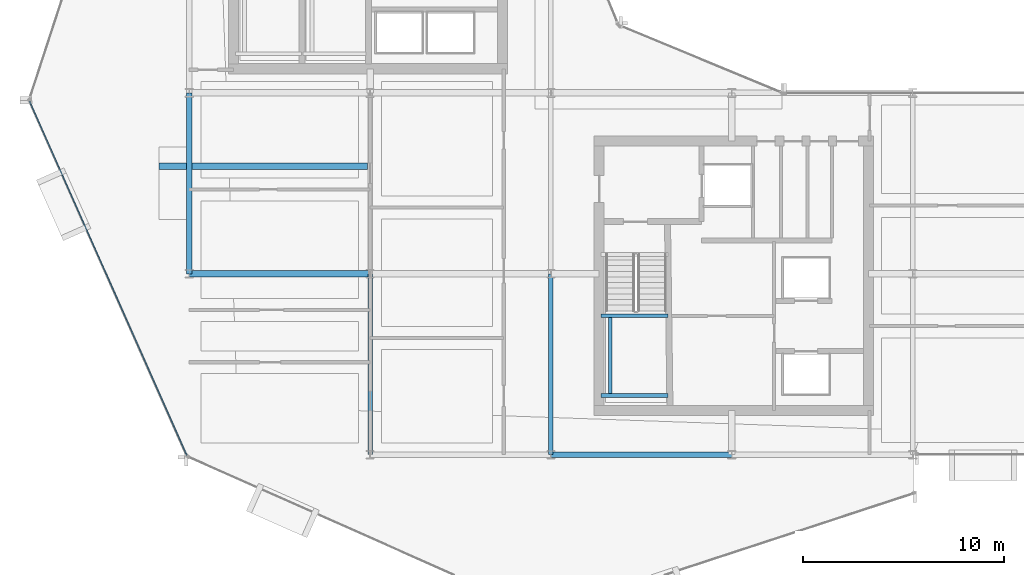
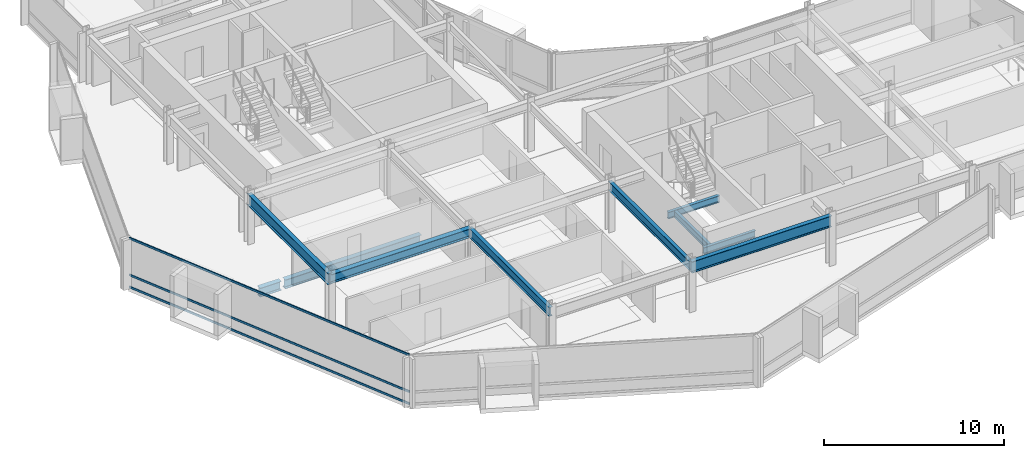
# One storey, part 5 of 29: 10 beams, 3 members, 1 element without a shape of its own.
"""IFC4 building model written with IfcOpenShell, lengths in metres."""

from ifc_helpers import new_model, si_unit, direction, frame, origin, origin_2d, place, context, subcontext, project, spatial, hollow_rectangle, i_section, extrude, material, layer, layer_set, material_profile, profile_set, type_object, element, aggregate, save


model = new_model("IFC4")

# Units and contexts
model_context = context("Model", 3, precision=1e-05, world=origin(), true_north=direction((0.0, 1.0)))
body_context = subcontext(model_context, "Body", "Model", "MODEL_VIEW")
ifc_project = project(units=[si_unit("LENGTHUNIT", "METRE"), si_unit("AREAUNIT", "SQUARE_METRE"), si_unit("VOLUMEUNIT", "CUBIC_METRE"), si_unit("PLANEANGLEUNIT", "RADIAN"), si_unit("MASSUNIT", "GRAM", prefix="KILO")], contexts=[model_context])

# Site, building, storey
site_placement = place(None, origin())
site = spatial("IfcSite", under=ifc_project, at=site_placement, CompositionType="ELEMENT")
building_placement = place(site_placement, origin())
building = spatial("IfcBuilding", under=site, at=building_placement, Name="Solvaryn Broadcast Tower", CompositionType="ELEMENT")
storey_placement = place(building_placement, frame((0.0, 0.0, 165.5)))
storey = spatial("IfcBuildingStorey", under=building, at=storey_placement, Name="L41", CompositionType="ELEMENT", Elevation=165.5)

# Beams
ifc_material_1 = material(Name="Steel ASTM A992 Grade 50", Category="steel")
ifc_material_profile_1 = material_profile(ifc_material_1, i_section(OverallWidth=0.323974609375, OverallDepth=0.611083984375, WebThickness=0.0126953125, FlangeThickness=0.01904296875, FilletRadius=0.014892578125, at=origin_2d()))
ifc_profile_set_1 = profile_set([ifc_material_profile_1], Name="Steel ASTM A992 Grade 50")
beam_type_1 = type_object("IfcBeamType", Name="BM-B1-W24X104", PredefinedType="BEAM", material=ifc_profile_set_1)
beam_1_placement = place(storey_placement, frame((17.875, 23.35009765625, -0.58544921875), z_axis=(-1.0, 0.0, 0.0), x_axis=(0.0, -1.0, 0.0)))
element("IfcBeam", 1, at=beam_1_placement, inside=storey, type_object=beam_type_1, Name="L41 Bay-Box Back-Span Beam 1", PredefinedType="BEAM", context=body_context, shape_type="SweptSolid", body=[
    extrude(i_section(OverallWidth=0.323974609375, OverallDepth=0.611083984375, WebThickness=0.0126953125, FlangeThickness=0.01904296875, FilletRadius=0.014892578125, at=origin_2d()), origin(), (0.0, 0.0, 1.0), 8.75),
])
beam_2_placement = place(storey_placement, frame((9.0, 18.0, 3.064453125), z_axis=(1.0, 0.0, 0.0), x_axis=(0.0, 1.0, 0.0)))
element("IfcBeam", 2, at=beam_2_placement, inside=storey, type_object=beam_type_1, Name="L41 Primary Beam X (9-18 @ Y=18)", PredefinedType="BEAM", context=body_context, shape_type="SweptSolid", body=[
    extrude(i_section(OverallWidth=0.323974609375, OverallDepth=0.611083984375, WebThickness=0.0126953125, FlangeThickness=0.01904296875, FilletRadius=0.014892578125, at=origin_2d()), origin(), (0.0, 0.0, 1.0), 9.0),
])
ifc_material_2 = material(Name="Steel ASTM A992 Grade 50", Category="steel")
ifc_material_profile_2 = material_profile(ifc_material_2, i_section(OverallWidth=0.22802734375, OverallDepth=0.60791015625, WebThickness=0.01123046875, FlangeThickness=0.017333984375, FilletRadius=0.014892578125, at=origin_2d()))
ifc_profile_set_2 = profile_set([ifc_material_profile_2], Name="Steel ASTM A992 Grade 50")
beam_type_2 = type_object("IfcBeamType", Name="BM-B2-W24X76", PredefinedType="BEAM", material=ifc_profile_set_2)
for number, where, z_axis, x_axis, name in (
    (3, (18.0, 9.0, 3.06591796875), (0.0, 1.0, 0.0), (-1.0, 0.0, 0.0), "L41 Primary Beam Y (9-18 @ X=18)"),
    (4, (27.0, 9.0, 3.06591796875), (0.0, 1.0, 0.0), (-1.0, 0.0, 0.0), "L41 Primary Beam Y (9-18 @ X=27)"),
):
    element("IfcBeam", number, at=place(storey_placement, frame(where, z_axis=z_axis, x_axis=x_axis)), inside=storey, type_object=beam_type_2, Name=name, PredefinedType="BEAM", context=body_context, shape_type="SweptSolid", body=[
        extrude(i_section(OverallWidth=0.22802734375, OverallDepth=0.60791015625, WebThickness=0.01123046875, FlangeThickness=0.017333984375, FilletRadius=0.014892578125, at=origin_2d()), origin(), (0.0, 0.0, 1.0), 9.0),
    ])
ifc_material_3 = material(Name="Steel ASTM A992 Grade 50", Category="steel")
ifc_material_profile_3 = material_profile(ifc_material_3, i_section(OverallWidth=0.18994140625, OverallDepth=0.45703125, WebThickness=0.009033203125, FlangeThickness=0.014404296875, FilletRadius=0.011962890625, at=origin_2d()))
ifc_profile_set_3 = profile_set([ifc_material_profile_3], Name="Steel ASTM A992 Grade 50")
beam_type_3 = type_object("IfcBeamType", Name="BM-B4-W18X50", PredefinedType="BEAM", material=ifc_profile_set_3)
for number, where, z_axis, x_axis, name in (
    (5, (29.5, 11.949951171875, 1.42138671875), (1.0, 0.0, 0.0), (0.0, 1.0, 0.0), "L41 ST3 Landing Support Beam 1A"),
    (6, (29.5, 15.909912109375, 1.42138671875), (1.0, 0.0, 0.0), (0.0, 1.0, 0.0), "L41 ST3 Landing Support Beam 1B"),
):
    element("IfcBeam", number, at=place(storey_placement, frame(where, z_axis=z_axis, x_axis=x_axis)), inside=storey, type_object=beam_type_3, Name=name, PredefinedType="BEAM", context=body_context, shape_type="SweptSolid", body=[
        extrude(i_section(OverallWidth=0.18994140625, OverallDepth=0.45703125, WebThickness=0.009033203125, FlangeThickness=0.014404296875, FilletRadius=0.011962890625, at=origin_2d()), origin(), (0.0, 0.0, 1.0), 3.320068359375),
    ])
beam_3_placement = place(storey_placement, frame((29.949951171875, 11.949951171875, 1.42138671875), z_axis=(0.0, 1.0, 0.0), x_axis=(-1.0, 0.0, 0.0)))
element("IfcBeam", 7, at=beam_3_placement, inside=storey, type_object=beam_type_3, Name="L41 ST3 Landing Cross Stringer 1C", PredefinedType="BEAM", context=body_context, shape_type="SweptSolid", body=[
    extrude(i_section(OverallWidth=0.18994140625, OverallDepth=0.45703125, WebThickness=0.009033203125, FlangeThickness=0.014404296875, FilletRadius=0.011962890625, at=origin_2d()), origin(), (0.0, 0.0, 1.0), 3.9599609375),
])
ifc_material_4 = material(Name="Steel ASTM A992 Grade 50", Category="steel")
ifc_material_profile_4 = material_profile(ifc_material_4, i_section(OverallWidth=0.323974609375, OverallDepth=0.611083984375, WebThickness=0.0126953125, FlangeThickness=0.01904296875, FilletRadius=0.014892578125, at=origin_2d()))
ifc_profile_set_4 = profile_set([ifc_material_profile_4], Name="Steel ASTM A992 Grade 50")
beam_type_4 = type_object("IfcBeamType", Name="BM-CANT-TER", PredefinedType="BEAM", material=ifc_profile_set_4)
beam_4_placement = place(storey_placement, frame((8.875, 23.35009765625, -0.58544921875), z_axis=(-1.0, 0.0, 0.0), x_axis=(0.0, -1.0, 0.0)))
element("IfcBeam", 8, at=beam_4_placement, inside=storey, type_object=beam_type_4, Name="L41 Bay-Box Cantilever Bracket 1", PredefinedType="BEAM", context=body_context, shape_type="SweptSolid", body=[
    extrude(i_section(OverallWidth=0.323974609375, OverallDepth=0.611083984375, WebThickness=0.0126953125, FlangeThickness=0.01904296875, FilletRadius=0.014892578125, at=origin_2d()), origin(), (0.0, 0.0, 1.0), 1.375),
])
ifc_material_5 = material(Name="Steel ASTM A992 Grade 50", Category="steel")
ifc_material_profile_5 = material_profile(ifc_material_5, i_section(OverallWidth=0.26708984375, OverallDepth=0.76611328125, WebThickness=0.014892578125, FlangeThickness=0.023681640625, FilletRadius=0.01806640625, at=origin_2d()))
ifc_profile_set_5 = profile_set([ifc_material_profile_5], Name="Steel ASTM A992 Grade 50")
beam_type_5 = type_object("IfcBeamType", Name="BM-SP2-W30X124", PredefinedType="USERDEFINED", material=ifc_profile_set_5)
for number, where, z_axis, x_axis, name in (
    (9, (27.0, 9.0, 2.987060546875), (1.0, 0.0, 0.0), (0.0, 1.0, 0.0), "L41 Spandrel Beam X (27-36 @ Y=9)"),
    (10, (9.0, 18.0, 2.987060546875), (0.0, 1.0, 0.0), (-1.0, 0.0, 0.0), "L41 Spandrel Beam Y (18-27 @ X=9)"),
):
    element("IfcBeam", number, at=place(storey_placement, frame(where, z_axis=z_axis, x_axis=x_axis)), inside=storey, type_object=beam_type_5, Name=name, ObjectType="SPANDREL", PredefinedType="USERDEFINED", context=body_context, shape_type="SweptSolid", body=[
        extrude(i_section(OverallWidth=0.26708984375, OverallDepth=0.76611328125, WebThickness=0.014892578125, FlangeThickness=0.023681640625, FilletRadius=0.01806640625, at=origin_2d()), origin(), (0.0, 0.0, 1.0), 9.0),
    ])

# Curtain wall, members
ifc_material_6 = material(Name="Aluminium and Terracotta Unitised Curtain Wall", Category="masonry")
ifc_layer = layer(ifc_material_6, 0.199951171875)
ifc_layer_set = layer_set([ifc_layer], Name="CW-SYS2-LOWMID")
curtain_wall_type = type_object("IfcCurtainWallType", Name="CW-SYS2-LOWMID", PredefinedType="NOTDEFINED", material=ifc_layer_set)
curtain_wall_placement = place(storey_placement, origin())
curtain_wall = element("IfcCurtainWall", 11, at=curtain_wall_placement, inside=storey, type_object=curtain_wall_type, Name="L41 Curtain Wall DR2", PredefinedType="NOTDEFINED")
ifc_material_7 = material(Name="Anodised Aluminium 6063-T6", Category="aluminium")
ifc_material_profile_6 = material_profile(ifc_material_7, hollow_rectangle(XDim=0.06494140625, YDim=0.14990234375, WallThickness=0.00390625, InnerFilletRadius=0.00390625, OuterFilletRadius=0.008056640625, at=origin_2d()))
ifc_profile_set_6 = profile_set([ifc_material_profile_6], Name="Anodised Aluminium 6063-T6")
member_type = type_object("IfcMemberType", Name="CW-TRN-150", PredefinedType="USERDEFINED", material=ifc_profile_set_6)
member_1_placement = place(storey_placement, frame((1.058349609375, 26.5810546875, 0.030029296875), z_axis=(0.405917546252, -0.913909703223, 0.0), x_axis=(0.913909703223, 0.405917546252, 0.0)))
member_1 = element("IfcMember", 12, at=member_1_placement, type_object=member_type, Name="CWS2 transom 1.1", ObjectType="TRANSOM", PredefinedType="USERDEFINED", context=body_context, shape_type="SweptSolid", body=[
    extrude(hollow_rectangle(XDim=0.06494140625, YDim=0.14990234375, WallThickness=0.00390625, InnerFilletRadius=0.00390625, OuterFilletRadius=0.008056640625, at=origin_2d()), origin(), (0.0, 0.0, 1.0), 19.27783203125),
])
member_2_placement = place(storey_placement, frame((1.058349609375, 26.5810546875, 0.85009765625), z_axis=(0.405917546252, -0.913909703223, 0.0), x_axis=(0.913909703223, 0.405917546252, 0.0)))
member_2 = element("IfcMember", 13, at=member_2_placement, type_object=member_type, Name="CWS2 transom 1.2", ObjectType="TRANSOM", PredefinedType="USERDEFINED", context=body_context, shape_type="SweptSolid", body=[
    extrude(hollow_rectangle(XDim=0.06494140625, YDim=0.14990234375, WallThickness=0.00390625, InnerFilletRadius=0.00390625, OuterFilletRadius=0.008056640625, at=origin_2d()), origin(), (0.0, 0.0, 1.0), 19.27783203125),
])
member_3_placement = place(storey_placement, frame((1.058349609375, 26.5810546875, 3.340087890625), z_axis=(0.405917546252, -0.913909703223, 0.0), x_axis=(0.913909703223, 0.405917546252, 0.0)))
member_3 = element("IfcMember", 14, at=member_3_placement, type_object=member_type, Name="CWS2 transom 1.3", ObjectType="TRANSOM", PredefinedType="USERDEFINED", context=body_context, shape_type="SweptSolid", body=[
    extrude(hollow_rectangle(XDim=0.06494140625, YDim=0.14990234375, WallThickness=0.00390625, InnerFilletRadius=0.00390625, OuterFilletRadius=0.008056640625, at=origin_2d()), origin(), (0.0, 0.0, 1.0), 19.27783203125),
])
aggregate(curtain_wall, [member_1, member_2, member_3])

save(model, "model.ifc")
